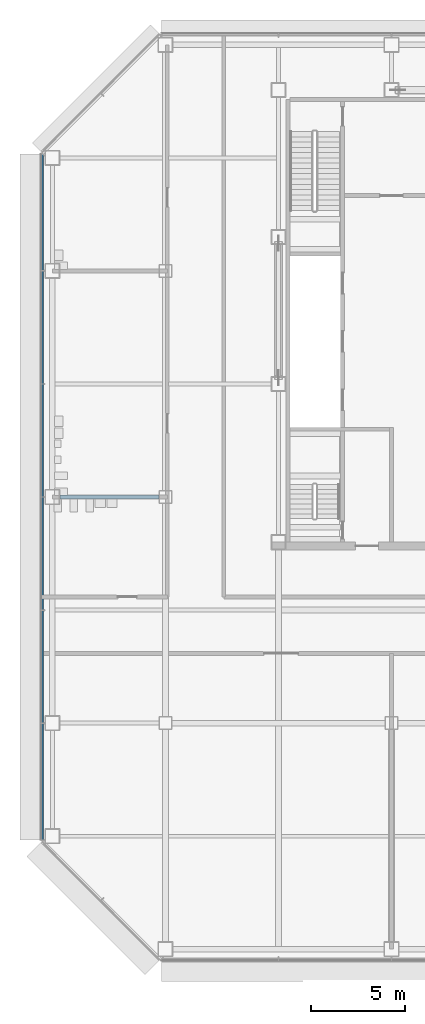
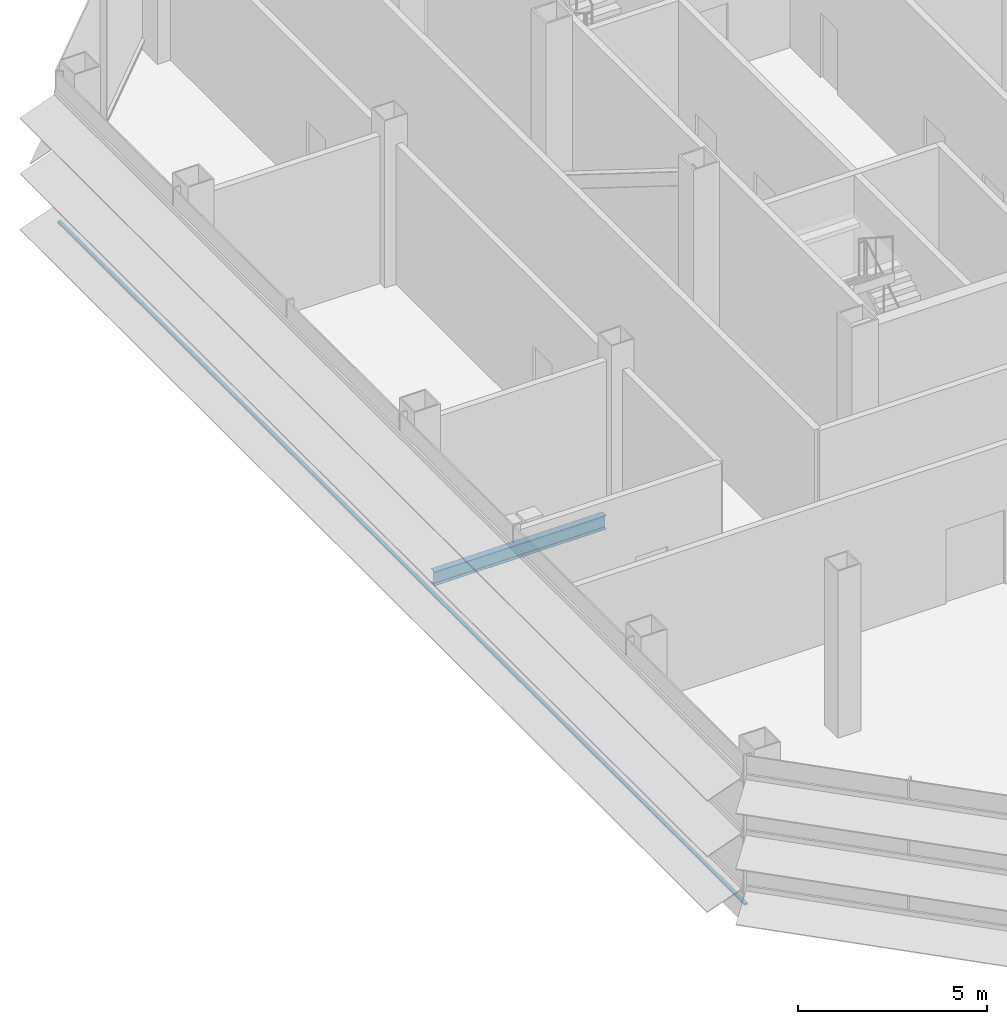
# One storey, part 4 of 23: 1 beam, 1 member, 1 element without a shape of its own.
"""IFC4 building model written with IfcOpenShell, lengths in metres."""

import ifcopenshell
import ifcopenshell.guid

model = None  # the IFC model being written
_history = None  # IfcOwnerHistory: only IFC2X3 demands one
_inside = {}  # id of a spatial element -> (the spatial element, [elements in it])
_under = {}  # id of a project, library or spatial element -> (it, [spatial elements below it])
_declared = {}  # id of a project -> (the project, [libraries it declares])
_typed = {}  # id of a type object -> (the type object, [elements of that type])
_made_of = {}  # id of a material, layer set ... -> (it, [elements and type objects made of it])


def new_model(schema):
    """Start an empty IFC model of exactly this schema.

    Asked for "IFC4X3", IfcOpenShell would pick the latest addendum, in which some entities
    have other attributes; the version numbers below select the first issue.
    IFC2X3 requires an IfcOwnerHistory on every rooted entity: one is made here for all.
    """
    global model, _history
    if schema == "IFC4X3":
        model = ifcopenshell.file(schema_version=(4, 3, 0, 0))
    else:
        model = ifcopenshell.file(schema=schema)
    _inside.clear()
    _under.clear()
    _declared.clear()
    _typed.clear()
    _made_of.clear()
    _history = None
    if model.schema == "IFC2X3":
        org = make("IfcOrganization", Name="unknown")
        user = make(
            "IfcPersonAndOrganization",
            ThePerson=make("IfcPerson", FamilyName="unknown"),
            TheOrganization=org,
        )
        app = make(
            "IfcApplication",
            ApplicationDeveloper=org,
            Version="unknown",
            ApplicationFullName="unknown",
            ApplicationIdentifier="unknown",
        )
        _history = make(
            "IfcOwnerHistory",
            OwningUser=user,
            OwningApplication=app,
            ChangeAction="ADDED",
            CreationDate=0,
        )
    return model


def make(cls, **values):
    """One entity of the class cls with the attributes given. An attribute that is None is left unset."""
    return model.create_entity(
        cls, **{name: value for name, value in values.items() if value is not None}
    )


def rooted(cls, **values):
    """An entity with a GlobalId (a new one), such as an element, a storey or a relation."""
    return make(cls, GlobalId=ifcopenshell.guid.new(), OwnerHistory=_history, **values)


def si_unit(unit_type, name, prefix=None):
    """IfcSIUnit, for example si_unit("LENGTHUNIT", "METRE", prefix="MILLI")."""
    return make("IfcSIUnit", UnitType=unit_type, Prefix=prefix, Name=name)


def assignment(units):
    """IfcUnitAssignment: the units of a project."""
    return None if units is None else make("IfcUnitAssignment", Units=units)


def point(xyz):
    """IfcCartesianPoint."""
    return None if xyz is None else make("IfcCartesianPoint", Coordinates=xyz)


def direction(xyz):
    """IfcDirection."""
    return None if xyz is None else make("IfcDirection", DirectionRatios=xyz)


def frame(location, z_axis=None, x_axis=None):
    """IfcAxis2Placement3D, a coordinate frame: its origin and axes. An axis left out is left unset."""
    return make(
        "IfcAxis2Placement3D",
        Location=point(location),
        Axis=direction(z_axis),
        RefDirection=direction(x_axis),
    )


def frame_2d(location, x_axis=None):
    """IfcAxis2Placement2D, a coordinate frame in the plane: its origin and x axis."""
    return make(
        "IfcAxis2Placement2D", Location=point(location), RefDirection=direction(x_axis)
    )


def origin():
    """The frame at (0, 0, 0) with its axes left unset."""
    return frame((0.0, 0.0, 0.0))


def origin_2d():
    """The frame at (0, 0) in the plane with its x axis left unset."""
    return frame_2d((0.0, 0.0))


def place(relative_to, where):
    """IfcLocalPlacement: puts the frame where relative to a parent placement (None: the world)."""
    return make(
        "IfcLocalPlacement", PlacementRelTo=relative_to, RelativePlacement=where
    )


def context(
    kind, dimensions, precision=None, world=None, true_north=None, identifier=None
):
    """IfcGeometricRepresentationContext, for example the 3D "Model" context."""
    return make(
        "IfcGeometricRepresentationContext",
        ContextIdentifier=identifier,
        ContextType=kind,
        CoordinateSpaceDimension=dimensions,
        Precision=precision,
        WorldCoordinateSystem=world,
        TrueNorth=true_north,
    )


def subcontext(parent, identifier, kind, view, scale=None):
    """IfcGeometricRepresentationSubContext, for example "Body" below "Model"."""
    return make(
        "IfcGeometricRepresentationSubContext",
        ContextIdentifier=identifier,
        ContextType=kind,
        ParentContext=parent,
        TargetScale=scale,
        TargetView=view,
    )


def project(units=None, contexts=None):
    """IfcProject with its units and contexts."""
    return rooted(
        "IfcProject",
        Name="project",
        RepresentationContexts=contexts,
        UnitsInContext=assignment(units),
    )


def spatial(cls, under=None, at=None, **own):
    """A site, building, storey or space (cls), placed at a placement, below another one or the project."""
    s = rooted(cls, ObjectPlacement=at, **own)
    if under is not None:
        _under.setdefault(under.id(), (under, []))[1].append(s)
    return s


def profile(cls, at=None, kind="AREA", **sizes):
    """A parametric profile (cls). Its sizes go by their IFC names, for example OverallWidth=200.0."""
    return make(cls, ProfileType=kind, Position=at, **sizes)


def rectangle(**sizes):
    """IfcRectangleProfileDef."""
    return profile("IfcRectangleProfileDef", **sizes)


def i_section(**sizes):
    """IfcIShapeProfileDef."""
    return profile("IfcIShapeProfileDef", **sizes)


def extrude(swept, where, along, depth):
    """IfcExtrudedAreaSolid: the profile swept, set in the frame where, extruded along a direction by depth."""
    return make(
        "IfcExtrudedAreaSolid",
        SweptArea=swept,
        Position=where,
        ExtrudedDirection=direction(along),
        Depth=depth,
    )


def shape(context_of_items, identifier, shape_type, items):
    """IfcShapeRepresentation: the items that make up one representation, for example the "Body"."""
    return make(
        "IfcShapeRepresentation",
        ContextOfItems=context_of_items,
        RepresentationIdentifier=identifier,
        RepresentationType=shape_type,
        Items=items,
    )


def material(Name=None, Category=None):
    """IfcMaterial."""
    return make("IfcMaterial", Name=Name, Category=Category)


def material_profile(
    of_material, cross_section, Name=None, Category=None, Priority=None
):
    """IfcMaterialProfile: a cross section and its material."""
    return make(
        "IfcMaterialProfile",
        Name=Name,
        Material=of_material,
        Profile=cross_section,
        Priority=Priority,
        Category=Category,
    )


def profile_set(profiles, Name=None, composite=None):
    """IfcMaterialProfileSet."""
    return make(
        "IfcMaterialProfileSet",
        Name=Name,
        MaterialProfiles=profiles,
        CompositeProfile=composite,
    )


def made_of(thing, what):
    """Note that an element or type object is made of a material, layer set ...; save() writes the relation."""
    if what is not None:
        _made_of.setdefault(what.id(), (what, []))[1].append(thing)
    return thing


def type_object(cls, material=None, **own):
    """A type object (cls), such as IfcWallType, which elements share."""
    return made_of(rooted(cls, **own), material)


def element(
    cls,
    number,
    at=None,
    inside=None,
    cuts=None,
    type_object=None,
    material=None,
    context=None,
    identifier="Body",
    shape_type=None,
    held_by="IfcProductDefinitionShape",
    body=None,
    shapes=None,
    **own,
):
    """One element of the class cls, such as IfcWall. Its Tag is "e" and its number.

    at: its placement. inside: the storey or other place that contains it. cuts: it is an
    opening in that element (IfcRelVoidsElement). A single representation is given by context,
    identifier, shape_type and body (its items); several are given by shapes. held_by: the class
    of the entity that holds the representations. save() writes the other relations.
    """
    e = rooted(cls, Tag="e%d" % number, ObjectPlacement=at, **own)
    if body is not None:
        shapes = [shape(context, identifier, shape_type, body)]
    if shapes is not None:
        e.Representation = make(held_by, Representations=shapes)
    if inside is not None:
        _inside.setdefault(inside.id(), (inside, []))[1].append(e)
    if cuts is not None:
        rooted(
            "IfcRelVoidsElement", RelatingBuildingElement=cuts, RelatedOpeningElement=e
        )
    if type_object is not None:
        _typed.setdefault(type_object.id(), (type_object, []))[1].append(e)
    return made_of(e, material)


def aggregate(whole, parts):
    """IfcRelAggregates: a whole, such as a stair, and the parts it consists of."""
    return rooted("IfcRelAggregates", RelatingObject=whole, RelatedObjects=parts)


def save(model, path):
    """Write the relations noted so far, then the file.

    IfcRelAggregates (storeys below a building ...), IfcRelContainedInSpatialStructure (elements
    in a storey), IfcRelDefinesByType, IfcRelAssociatesMaterial and IfcRelDeclares: one each for
    every whole, place, type object, material and project.
    """
    for whole, parts in _under.values():
        aggregate(whole, parts)
    for where, things in _inside.values():
        rooted(
            "IfcRelContainedInSpatialStructure",
            RelatedElements=things,
            RelatingStructure=where,
        )
    for kind, things in _typed.values():
        rooted("IfcRelDefinesByType", RelatedObjects=things, RelatingType=kind)
    for what, things in _made_of.values():
        rooted("IfcRelAssociatesMaterial", RelatedObjects=things, RelatingMaterial=what)
    for by, libraries in _declared.values():
        rooted("IfcRelDeclares", RelatingContext=by, RelatedDefinitions=libraries)
    model.write(path)


model = new_model("IFC4")

# Units and contexts
model_context = context("Model", 3, precision=1e-05, world=origin(), true_north=direction((0.0, 1.0)))
body_context = subcontext(model_context, "Body", "Model", "MODEL_VIEW")
ifc_project = project(units=[si_unit("LENGTHUNIT", "METRE"), si_unit("AREAUNIT", "SQUARE_METRE"), si_unit("VOLUMEUNIT", "CUBIC_METRE"), si_unit("PLANEANGLEUNIT", "RADIAN"), si_unit("MASSUNIT", "GRAM", prefix="KILO")], contexts=[model_context])

# Site, building, storey
site_placement = place(None, origin())
site = spatial("IfcSite", under=ifc_project, at=site_placement, CompositionType="ELEMENT")
building_placement = place(site_placement, origin())
building = spatial("IfcBuilding", under=site, at=building_placement, Name="Sorahane Residences", CompositionType="ELEMENT")
storey_placement = place(building_placement, frame((0.0, 0.0, 114.199951171875)))
storey = spatial("IfcBuildingStorey", under=building, at=storey_placement, Name="L25", CompositionType="ELEMENT", Elevation=114.199951171875)

# Curtain wall, member
ifc_material_1 = material(Name="Dark low-e glass and black anodised aluminium", Category="aluminium")
curtain_wall_type = type_object("IfcCurtainWallType", Name="Curtain wall CW-4 Sky floor frameless wall", PredefinedType="NOTDEFINED", material=ifc_material_1)
curtain_wall_placement = place(storey_placement, origin())
curtain_wall = element("IfcCurtainWall", 1, at=curtain_wall_placement, inside=storey, type_object=curtain_wall_type, Name="CW-4 curtain wall L25 W1", PredefinedType="NOTDEFINED")
ifc_material_2 = material(Name="Black anodised aluminium", Category="aluminium")
ifc_material_profile_1 = material_profile(ifc_material_2, rectangle(XDim=0.10009765625, YDim=0.06005859375, at=origin_2d()), Name="Curtain wall transom CW-4 black anodised aluminium 60x100")
ifc_profile_set_1 = profile_set([ifc_material_profile_1], Name="Black anodised aluminium")
member_type = type_object("IfcMemberType", Name="Curtain wall transom CW-4 black anodised aluminium 60x100", PredefinedType="USERDEFINED", material=ifc_profile_set_1)
member_placement = place(storey_placement, frame((-6.530029296875, 42.198486328125, 0.35009765625), z_axis=(0.0, -1.0, 0.0), x_axis=(1.0, 0.0, 0.0)))
member = element("IfcMember", 2, at=member_placement, type_object=member_type, Name="CW-4 transom L25 W1", ObjectType="TRANSOM", PredefinedType="USERDEFINED", context=body_context, shape_type="SweptSolid", body=[
    extrude(rectangle(XDim=0.10009765625, YDim=0.06005859375, at=origin_2d()), origin(), (0.0, 0.0, 1.0), 36.39697265625),
])
aggregate(curtain_wall, [member])

# Beam
ifc_material_3 = material(Name="Steel Q355B", Category="steel")
ifc_material_profile_2 = material_profile(ifc_material_3, i_section(OverallWidth=0.199951171875, OverallDepth=0.449951171875, WebThickness=0.009033203125, FlangeThickness=0.013916015625, FilletRadius=0.02001953125, at=origin_2d()), Name="HN 450x200x9x14")
ifc_profile_set_2 = profile_set([ifc_material_profile_2], Name="Steel Q355B")
beam_type = type_object("IfcBeamType", Name="Steel floor beam HN 450x200x9x14 Q355B", PredefinedType="BEAM", material=ifc_profile_set_2)
beam_placement = place(storey_placement, frame((-5.60009765625, 24.0, -0.445068359375), z_axis=(1.0, 0.0, 0.0), x_axis=(0.0, 1.0, 0.0)))
element("IfcBeam", 3, at=beam_placement, inside=storey, type_object=beam_type, Name="Beam L25 011", PredefinedType="BEAM", context=body_context, shape_type="SweptSolid", body=[
    extrude(i_section(OverallWidth=0.199951171875, OverallDepth=0.449951171875, WebThickness=0.009033203125, FlangeThickness=0.013916015625, FilletRadius=0.02001953125, at=origin_2d()), origin(), (0.0, 0.0, 1.0), 5.25),
])

save(model, "model.ifc")
